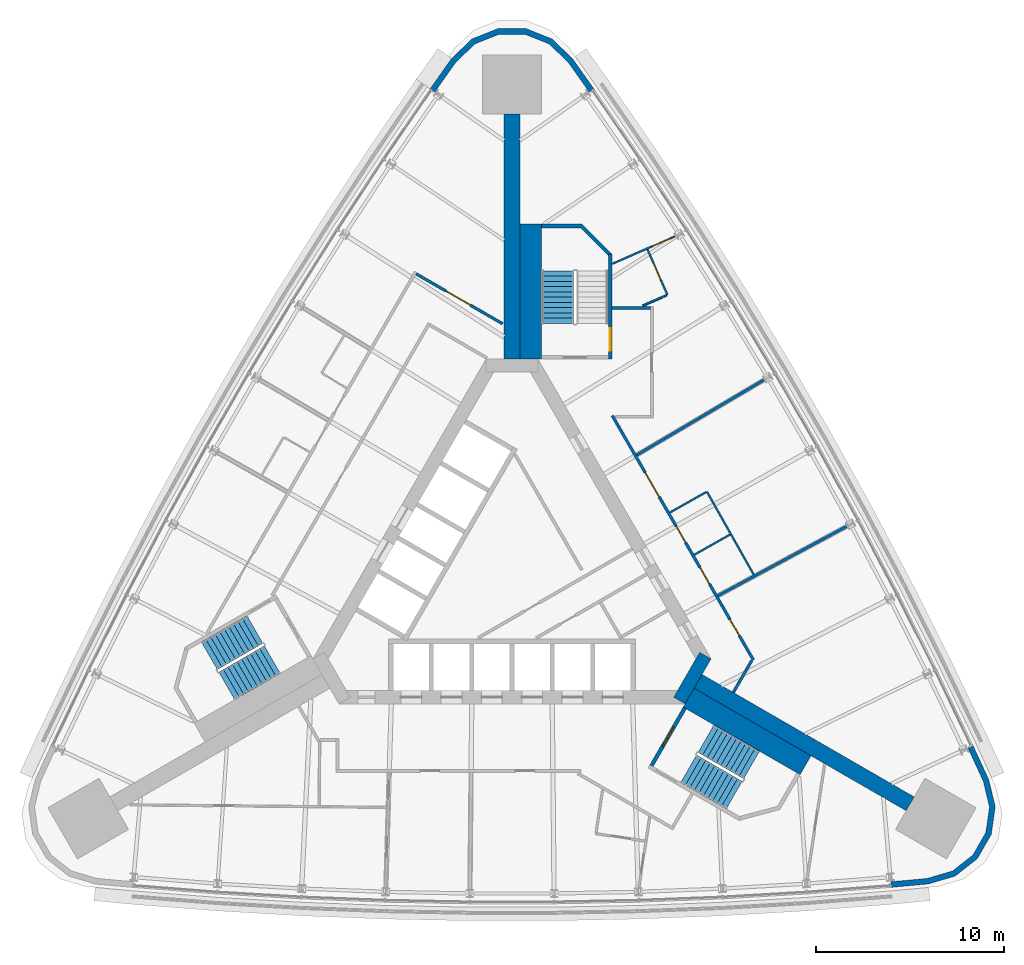
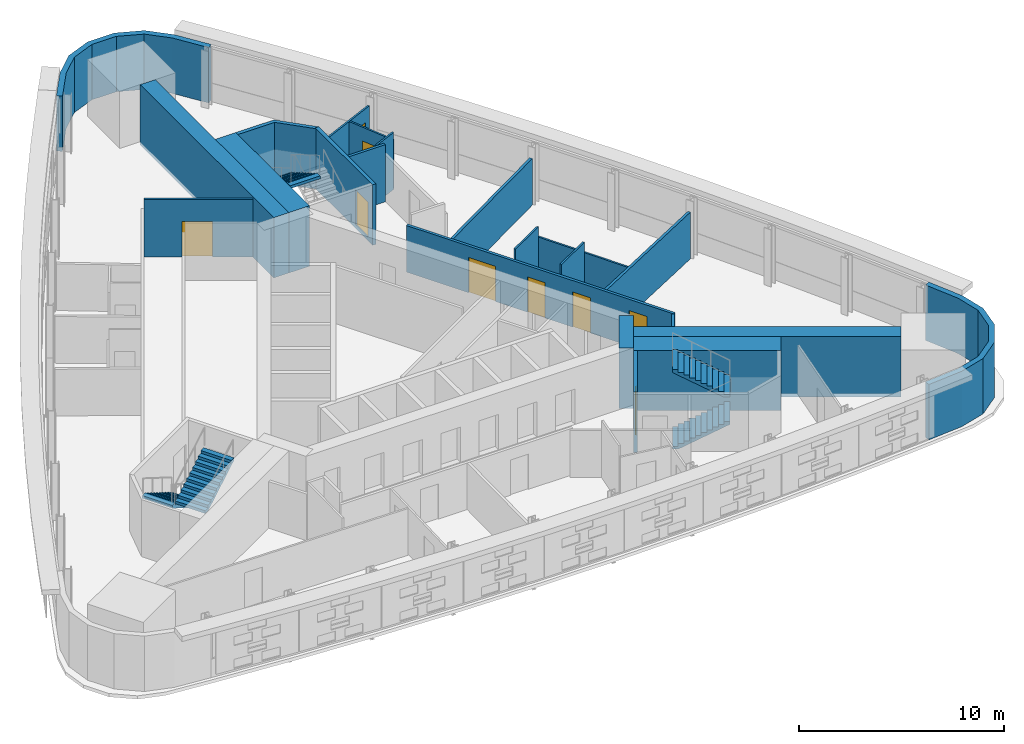
# One storey, part 10 of 13: 22 walls, 9 doors, 5 stair flights, 9 openings, 3 elements without a shape of their own.
"""IFC4 building model written with IfcOpenShell, lengths in metres."""

import ifcopenshell
import ifcopenshell.guid

model = None  # the IFC model being written
_history = None  # IfcOwnerHistory: only IFC2X3 demands one
_inside = {}  # id of a spatial element -> (the spatial element, [elements in it])
_under = {}  # id of a project, library or spatial element -> (it, [spatial elements below it])
_declared = {}  # id of a project -> (the project, [libraries it declares])
_typed = {}  # id of a type object -> (the type object, [elements of that type])
_made_of = {}  # id of a material, layer set ... -> (it, [elements and type objects made of it])


def new_model(schema):
    """Start an empty IFC model of exactly this schema.

    Asked for "IFC4X3", IfcOpenShell would pick the latest addendum, in which some entities
    have other attributes; the version numbers below select the first issue.
    IFC2X3 requires an IfcOwnerHistory on every rooted entity: one is made here for all.
    """
    global model, _history
    if schema == "IFC4X3":
        model = ifcopenshell.file(schema_version=(4, 3, 0, 0))
    else:
        model = ifcopenshell.file(schema=schema)
    _inside.clear()
    _under.clear()
    _declared.clear()
    _typed.clear()
    _made_of.clear()
    _history = None
    if model.schema == "IFC2X3":
        org = make("IfcOrganization", Name="unknown")
        user = make(
            "IfcPersonAndOrganization",
            ThePerson=make("IfcPerson", FamilyName="unknown"),
            TheOrganization=org,
        )
        app = make(
            "IfcApplication",
            ApplicationDeveloper=org,
            Version="unknown",
            ApplicationFullName="unknown",
            ApplicationIdentifier="unknown",
        )
        _history = make(
            "IfcOwnerHistory",
            OwningUser=user,
            OwningApplication=app,
            ChangeAction="ADDED",
            CreationDate=0,
        )
    return model


def make(cls, **values):
    """One entity of the class cls with the attributes given. An attribute that is None is left unset."""
    return model.create_entity(
        cls, **{name: value for name, value in values.items() if value is not None}
    )


def rooted(cls, **values):
    """An entity with a GlobalId (a new one), such as an element, a storey or a relation."""
    return make(cls, GlobalId=ifcopenshell.guid.new(), OwnerHistory=_history, **values)


def si_unit(unit_type, name, prefix=None):
    """IfcSIUnit, for example si_unit("LENGTHUNIT", "METRE", prefix="MILLI")."""
    return make("IfcSIUnit", UnitType=unit_type, Prefix=prefix, Name=name)


def assignment(units):
    """IfcUnitAssignment: the units of a project."""
    return None if units is None else make("IfcUnitAssignment", Units=units)


def point(xyz):
    """IfcCartesianPoint."""
    return None if xyz is None else make("IfcCartesianPoint", Coordinates=xyz)


def direction(xyz):
    """IfcDirection."""
    return None if xyz is None else make("IfcDirection", DirectionRatios=xyz)


def frame(location, z_axis=None, x_axis=None):
    """IfcAxis2Placement3D, a coordinate frame: its origin and axes. An axis left out is left unset."""
    return make(
        "IfcAxis2Placement3D",
        Location=point(location),
        Axis=direction(z_axis),
        RefDirection=direction(x_axis),
    )


def frame_2d(location, x_axis=None):
    """IfcAxis2Placement2D, a coordinate frame in the plane: its origin and x axis."""
    return make(
        "IfcAxis2Placement2D", Location=point(location), RefDirection=direction(x_axis)
    )


def origin():
    """The frame at (0, 0, 0) with its axes left unset."""
    return frame((0.0, 0.0, 0.0))


def place(relative_to, where):
    """IfcLocalPlacement: puts the frame where relative to a parent placement (None: the world)."""
    return make(
        "IfcLocalPlacement", PlacementRelTo=relative_to, RelativePlacement=where
    )


def context(
    kind, dimensions, precision=None, world=None, true_north=None, identifier=None
):
    """IfcGeometricRepresentationContext, for example the 3D "Model" context."""
    return make(
        "IfcGeometricRepresentationContext",
        ContextIdentifier=identifier,
        ContextType=kind,
        CoordinateSpaceDimension=dimensions,
        Precision=precision,
        WorldCoordinateSystem=world,
        TrueNorth=true_north,
    )


def subcontext(parent, identifier, kind, view, scale=None):
    """IfcGeometricRepresentationSubContext, for example "Body" below "Model"."""
    return make(
        "IfcGeometricRepresentationSubContext",
        ContextIdentifier=identifier,
        ContextType=kind,
        ParentContext=parent,
        TargetScale=scale,
        TargetView=view,
    )


def project(units=None, contexts=None):
    """IfcProject with its units and contexts."""
    return rooted(
        "IfcProject",
        Name="project",
        RepresentationContexts=contexts,
        UnitsInContext=assignment(units),
    )


def spatial(cls, under=None, at=None, **own):
    """A site, building, storey or space (cls), placed at a placement, below another one or the project."""
    s = rooted(cls, ObjectPlacement=at, **own)
    if under is not None:
        _under.setdefault(under.id(), (under, []))[1].append(s)
    return s


def polyline(points):
    """IfcPolyline through the points."""
    return make("IfcPolyline", Points=[point(p) for p in points])


def profile(cls, at=None, kind="AREA", **sizes):
    """A parametric profile (cls). Its sizes go by their IFC names, for example OverallWidth=200.0."""
    return make(cls, ProfileType=kind, Position=at, **sizes)


def rectangle(**sizes):
    """IfcRectangleProfileDef."""
    return profile("IfcRectangleProfileDef", **sizes)


def outline(outer, holes=None, kind="AREA"):
    """IfcArbitraryClosedProfileDef: a profile drawn as a closed curve; with holes, ...WithVoids."""
    if holes is None:
        return make("IfcArbitraryClosedProfileDef", ProfileType=kind, OuterCurve=outer)
    return make(
        "IfcArbitraryProfileDefWithVoids",
        ProfileType=kind,
        OuterCurve=outer,
        InnerCurves=holes,
    )


def extrude(swept, where, along, depth):
    """IfcExtrudedAreaSolid: the profile swept, set in the frame where, extruded along a direction by depth."""
    return make(
        "IfcExtrudedAreaSolid",
        SweptArea=swept,
        Position=where,
        ExtrudedDirection=direction(along),
        Depth=depth,
    )


def shape(context_of_items, identifier, shape_type, items):
    """IfcShapeRepresentation: the items that make up one representation, for example the "Body"."""
    return make(
        "IfcShapeRepresentation",
        ContextOfItems=context_of_items,
        RepresentationIdentifier=identifier,
        RepresentationType=shape_type,
        Items=items,
    )


def material(Name=None, Category=None):
    """IfcMaterial."""
    return make("IfcMaterial", Name=Name, Category=Category)


def layer(
    of_material, thickness, ventilated=None, Name=None, Category=None, Priority=None
):
    """IfcMaterialLayer: one layer of a wall or slab, of a material (None: an air gap)."""
    return make(
        "IfcMaterialLayer",
        Material=of_material,
        LayerThickness=thickness,
        IsVentilated=ventilated,
        Name=Name,
        Category=Category,
        Priority=Priority,
    )


def layer_set(layers, Name=None):
    """IfcMaterialLayerSet."""
    return make("IfcMaterialLayerSet", MaterialLayers=layers, LayerSetName=Name)


def made_of(thing, what):
    """Note that an element or type object is made of a material, layer set ...; save() writes the relation."""
    if what is not None:
        _made_of.setdefault(what.id(), (what, []))[1].append(thing)
    return thing


def type_object(cls, material=None, **own):
    """A type object (cls), such as IfcWallType, which elements share."""
    return made_of(rooted(cls, **own), material)


def element(
    cls,
    number,
    at=None,
    inside=None,
    cuts=None,
    type_object=None,
    material=None,
    context=None,
    identifier="Body",
    shape_type=None,
    held_by="IfcProductDefinitionShape",
    body=None,
    shapes=None,
    **own,
):
    """One element of the class cls, such as IfcWall. Its Tag is "e" and its number.

    at: its placement. inside: the storey or other place that contains it. cuts: it is an
    opening in that element (IfcRelVoidsElement). A single representation is given by context,
    identifier, shape_type and body (its items); several are given by shapes. held_by: the class
    of the entity that holds the representations. save() writes the other relations.
    """
    e = rooted(cls, Tag="e%d" % number, ObjectPlacement=at, **own)
    if body is not None:
        shapes = [shape(context, identifier, shape_type, body)]
    if shapes is not None:
        e.Representation = make(held_by, Representations=shapes)
    if inside is not None:
        _inside.setdefault(inside.id(), (inside, []))[1].append(e)
    if cuts is not None:
        rooted(
            "IfcRelVoidsElement", RelatingBuildingElement=cuts, RelatedOpeningElement=e
        )
    if type_object is not None:
        _typed.setdefault(type_object.id(), (type_object, []))[1].append(e)
    return made_of(e, material)


def fill(opening, filler):
    """IfcRelFillsElement: the door or window that sits in an opening."""
    return rooted(
        "IfcRelFillsElement",
        RelatingOpeningElement=opening,
        RelatedBuildingElement=filler,
    )


def aggregate(whole, parts):
    """IfcRelAggregates: a whole, such as a stair, and the parts it consists of."""
    return rooted("IfcRelAggregates", RelatingObject=whole, RelatedObjects=parts)


def save(model, path):
    """Write the relations noted so far, then the file.

    IfcRelAggregates (storeys below a building ...), IfcRelContainedInSpatialStructure (elements
    in a storey), IfcRelDefinesByType, IfcRelAssociatesMaterial and IfcRelDeclares: one each for
    every whole, place, type object, material and project.
    """
    for whole, parts in _under.values():
        aggregate(whole, parts)
    for where, things in _inside.values():
        rooted(
            "IfcRelContainedInSpatialStructure",
            RelatedElements=things,
            RelatingStructure=where,
        )
    for kind, things in _typed.values():
        rooted("IfcRelDefinesByType", RelatedObjects=things, RelatingType=kind)
    for what, things in _made_of.values():
        rooted("IfcRelAssociatesMaterial", RelatedObjects=things, RelatingMaterial=what)
    for by, libraries in _declared.values():
        rooted("IfcRelDeclares", RelatingContext=by, RelatedDefinitions=libraries)
    model.write(path)


model = new_model("IFC4")

# Units and contexts
model_context = context("Model", 3, precision=1e-05, world=origin(), true_north=direction((0.0, 1.0)))
body_context = subcontext(model_context, "Body", "Model", "MODEL_VIEW")
ifc_project = project(units=[si_unit("LENGTHUNIT", "METRE"), si_unit("AREAUNIT", "SQUARE_METRE"), si_unit("VOLUMEUNIT", "CUBIC_METRE"), si_unit("PLANEANGLEUNIT", "RADIAN"), si_unit("MASSUNIT", "GRAM", prefix="KILO")], contexts=[model_context])

# Site, building, storey
site_placement = place(None, origin())
site = spatial("IfcSite", under=ifc_project, at=site_placement, CompositionType="ELEMENT")
building_placement = place(site_placement, origin())
building = spatial("IfcBuilding", under=site, at=building_placement, Name="Noor Cloister Tower", CompositionType="ELEMENT")
storey_placement = place(building_placement, frame((0.0, 0.0, 79.800048828125)))
storey = spatial("IfcBuildingStorey", under=building, at=storey_placement, Name="L20", CompositionType="ELEMENT", Elevation=79.800048828125)

# Walls
ifc_material_1 = material(Name="Concrete C80/95", Category="concrete")
ifc_layer_1 = layer(ifc_material_1, 0.85009765625)
ifc_layer_set_1 = layer_set([ifc_layer_1], Name="Buttress wall 850 C80/95")
wall_type_1 = type_object("IfcWallType", Name="Buttress wall 850 C80/95", PredefinedType="SHEAR", material=ifc_layer_set_1)
wall_1_placement = place(storey_placement, frame((0.0, 11.456298828125, -0.199951171875), z_axis=(0.0, 0.0, 1.0), x_axis=(0.0, 1.0, 0.0)))
element("IfcWall", 1, at=wall_1_placement, inside=storey, type_object=wall_type_1, Name="Buttress wall N L20", PredefinedType="SHEAR", context=body_context, shape_type="SweptSolid", body=[
    extrude(rectangle(XDim=13.064697265625, YDim=0.85009765625, at=frame_2d((6.5322265625, 0.0))), origin(), (0.0, 0.0, 1.0), 3.599853515625),
])
wall_2_placement = place(storey_placement, frame((9.921630859375, -5.728271484375, -0.199951171875), z_axis=(0.0, 0.0, 1.0), x_axis=(0.866026565165, -0.499997988424, 0.0)))
element("IfcWall", 2, at=wall_2_placement, inside=storey, type_object=wall_type_1, Name="Buttress wall SE L20", PredefinedType="SHEAR", context=body_context, shape_type="SweptSolid", body=[
    extrude(rectangle(XDim=13.064453125, YDim=0.85009765625, at=frame_2d((6.5322265625, 0.0))), origin(), (0.0, 0.0, 1.0), 3.599853515625),
])
ifc_material_2 = material(Name="Concrete C80/95", Category="concrete")
ifc_layer_2 = layer(ifc_material_2, 0.699951171875)
ifc_layer_set_2 = layer_set([ifc_layer_2], Name="Core wall 700 C80/95")
wall_type_2 = type_object("IfcWallType", Name="Core wall 700 C80/95", PredefinedType="SHEAR", material=ifc_layer_set_2)
wall_3_placement = place(storey_placement, frame((8.925537109375, -6.753173828125, -0.199951171875), z_axis=(0.0, 0.0, 1.0), x_axis=(0.500042739161, 0.866000726912, 0.0)))
element("IfcWall", 3, at=wall_3_placement, inside=storey, type_object=wall_type_2, Name="Core wall L20 2", PredefinedType="SHEAR", context=body_context, shape_type="SweptSolid", body=[
    extrude(rectangle(XDim=2.771240234375, YDim=0.699951171875, at=frame_2d((1.3857421875, 0.0))), origin(), (0.0, 0.0, 1.0), 3.599853515625),
])

# Wall, openings, doors
ifc_material_3 = material(Name="Gypsum board partition on steel studs, 150 mm", Category="steel")
ifc_layer_3 = layer(ifc_material_3, 0.14990234375)
ifc_layer_set_3 = layer_set([ifc_layer_3], Name="Flat wall 150")
wall_type_3 = type_object("IfcWallType", Name="Flat wall 150", PredefinedType="PARTITIONING", material=ifc_layer_set_3)
wall_4_placement = place(storey_placement, frame((5.34619140625, 8.4462890625, 0.0), z_axis=(0.0, 0.0, 1.0), x_axis=(0.500008781656, -0.866020333634, 0.0)))
wall_4 = element("IfcWall", 4, at=wall_4_placement, inside=storey, type_object=wall_type_3, Name="Flat wall 150 L20 003", PredefinedType="PARTITIONING", context=body_context, shape_type="SweptSolid", body=[
    extrude(rectangle(XDim=15.056884765625, YDim=0.14990234375, at=frame_2d((7.5283203125, 0.0))), origin(), (0.0, 0.0, 1.0), 2.77783203125),
])
opening_1_placement = place(wall_4_placement, frame((12.551513671875, 0.0, 0.0)))
opening_1 = element("IfcOpeningElement", 5, at=opening_1_placement, cuts=wall_4, Name="Opening L20-005", PredefinedType="OPENING", context=body_context, shape_type="SweptSolid", body=[
    extrude(rectangle(XDim=1.0, YDim=2.10009765625, at=frame_2d((0.5, 1.050048828125))), frame((0.0, 0.0849609375, 0.0), z_axis=(0.0, -1.0, 0.0), x_axis=(1.0, 0.0, 0.0)), (0.0, 0.0, 1.0), 0.169921875),
])
opening_2_placement = place(wall_4_placement, frame((9.365478515625, 0.0, 0.0)))
opening_2 = element("IfcOpeningElement", 6, at=opening_2_placement, cuts=wall_4, Name="Opening L20-006", PredefinedType="OPENING", context=body_context, shape_type="SweptSolid", body=[
    extrude(rectangle(XDim=1.0, YDim=2.10009765625, at=frame_2d((0.5, 1.050048828125))), frame((0.0, 0.0849609375, 0.0), z_axis=(0.0, -1.0, 0.0), x_axis=(1.0, 0.0, 0.0)), (0.0, 0.0, 1.0), 0.169921875),
])
opening_3_placement = place(wall_4_placement, frame((6.81640625, 0.0, 0.0)))
opening_3 = element("IfcOpeningElement", 7, at=opening_3_placement, cuts=wall_4, Name="Opening L20-007", PredefinedType="OPENING", context=body_context, shape_type="SweptSolid", body=[
    extrude(rectangle(XDim=1.0, YDim=2.10009765625, at=frame_2d((0.5, 1.050048828125))), frame((0.0, 0.0849609375, 0.0), z_axis=(0.0, -1.0, 0.0), x_axis=(1.0, 0.0, 0.0)), (0.0, 0.0, 1.0), 0.169921875),
])
opening_4_placement = place(wall_4_placement, frame((3.5087890625, 0.0, 0.0)))
opening_4 = element("IfcOpeningElement", 8, at=opening_4_placement, cuts=wall_4, Name="Opening L20-008", PredefinedType="OPENING", context=body_context, shape_type="SweptSolid", body=[
    extrude(rectangle(XDim=1.5, YDim=2.10009765625, at=frame_2d((0.75, 1.050048828125))), frame((0.0, 0.0849609375, 0.0), z_axis=(0.0, -1.0, 0.0), x_axis=(1.0, 0.0, 0.0)), (0.0, 0.0, 1.0), 0.169921875),
])
ifc_material_4 = material(Name="Timber door leaf with steel frame", Category="steel")
door_type_1 = type_object("IfcDoorType", Name="Accessible WC door 1000", OperationType="NOTDEFINED", PredefinedType="DOOR", material=ifc_material_4)
door_1_placement = place(opening_2_placement, origin())
door_1 = element("IfcDoor", 9, at=door_1_placement, inside=storey, type_object=door_type_1, Name="Accessible WC door 1000 L20-006", OperationType="SINGLE_SWING_RIGHT", OverallHeight=2.10009765625, OverallWidth=1.0, PredefinedType="DOOR", context=body_context, shape_type="SweptSolid", body=[
    extrude(rectangle(XDim=1.0, YDim=2.10009765625, at=frame_2d((0.5, 1.050048828125))), frame((0.0, 0.02490234375, 0.0), z_axis=(0.0, -1.0, 0.0), x_axis=(1.0, 0.0, 0.0)), (0.0, 0.0, 1.0), 0.050048828125),
])
fill(opening_2, door_1)
ifc_material_5 = material(Name="Timber door leaf with steel frame", Category="steel")
door_type_2 = type_object("IfcDoorType", Name="Double door 1500 FD60", OperationType="NOTDEFINED", PredefinedType="DOOR", material=ifc_material_5)
door_2_placement = place(opening_4_placement, origin())
door_2 = element("IfcDoor", 10, at=door_2_placement, inside=storey, type_object=door_type_2, Name="Double door 1500 L20-008", OperationType="DOUBLE_DOOR_SINGLE_SWING", OverallHeight=2.10009765625, OverallWidth=1.5, PredefinedType="DOOR", context=body_context, shape_type="SweptSolid", body=[
    extrude(rectangle(XDim=1.5, YDim=2.10009765625, at=frame_2d((0.75, 1.050048828125))), frame((0.0, 0.02490234375, 0.0), z_axis=(0.0, -1.0, 0.0), x_axis=(1.0, 0.0, 0.0)), (0.0, 0.0, 1.0), 0.050048828125),
])
fill(opening_4, door_2)
ifc_material_6 = material(Name="Timber door leaf with steel frame", Category="steel")
door_type_3 = type_object("IfcDoorType", Name="Interior door 1000 FD60", OperationType="NOTDEFINED", PredefinedType="DOOR", material=ifc_material_6)
door_3_placement = place(opening_1_placement, origin())
door_3 = element("IfcDoor", 11, at=door_3_placement, inside=storey, type_object=door_type_3, Name="Interior door 1000 L20-005", OperationType="SINGLE_SWING_RIGHT", OverallHeight=2.10009765625, OverallWidth=1.0, PredefinedType="DOOR", context=body_context, shape_type="SweptSolid", body=[
    extrude(rectangle(XDim=1.0, YDim=2.10009765625, at=frame_2d((0.5, 1.050048828125))), frame((0.0, 0.02490234375, 0.0), z_axis=(0.0, -1.0, 0.0), x_axis=(1.0, 0.0, 0.0)), (0.0, 0.0, 1.0), 0.050048828125),
])
fill(opening_1, door_3)
door_4_placement = place(opening_3_placement, origin())
door_4 = element("IfcDoor", 12, at=door_4_placement, inside=storey, type_object=door_type_3, Name="Interior door 1000 L20-007", OperationType="SINGLE_SWING_LEFT", OverallHeight=2.10009765625, OverallWidth=1.0, PredefinedType="DOOR", context=body_context, shape_type="SweptSolid", body=[
    extrude(rectangle(XDim=1.0, YDim=2.10009765625, at=frame_2d((0.5, 1.050048828125))), frame((0.0, 0.02490234375, 0.0), z_axis=(0.0, -1.0, 0.0), x_axis=(1.0, 0.0, 0.0)), (0.0, 0.0, 1.0), 0.050048828125),
])
fill(opening_3, door_4)

# Wall, opening, door
wall_5_placement = place(storey_placement, frame((-5.111328125, 16.00341796875, 0.0), z_axis=(0.0, 0.0, 1.0), x_axis=(0.866034245675, -0.499984685083, 0.0)))
wall_5 = element("IfcWall", 13, at=wall_5_placement, inside=storey, type_object=wall_type_3, Name="Flat wall 150 L20 007", PredefinedType="PARTITIONING", context=body_context, shape_type="SweptSolid", body=[
    extrude(rectangle(XDim=5.319091796875, YDim=0.14990234375, at=frame_2d((2.65966796875, 0.0))), origin(), (0.0, 0.0, 1.0), 3.39990234375),
])
opening_5_placement = place(wall_5_placement, frame((1.83447265625, 0.0, 0.0)))
opening_5 = element("IfcOpeningElement", 14, at=opening_5_placement, cuts=wall_5, Name="Opening L20-012", PredefinedType="OPENING", context=body_context, shape_type="SweptSolid", body=[
    extrude(rectangle(XDim=1.5, YDim=2.10009765625, at=frame_2d((0.75, 1.050048828125))), frame((0.0, 0.0849609375, 0.0), z_axis=(0.0, -1.0, 0.0), x_axis=(1.0, 0.0, 0.0)), (0.0, 0.0, 1.0), 0.169921875),
])
door_5_placement = place(opening_5_placement, origin())
door_5 = element("IfcDoor", 15, at=door_5_placement, inside=storey, type_object=door_type_2, Name="Double door 1500 L20-012", OperationType="DOUBLE_DOOR_SINGLE_SWING", OverallHeight=2.10009765625, OverallWidth=1.5, PredefinedType="DOOR", context=body_context, shape_type="SweptSolid", body=[
    extrude(rectangle(XDim=1.5, YDim=2.10009765625, at=frame_2d((0.75, 1.050048828125))), frame((0.0, 0.02490234375, 0.0), z_axis=(0.0, -1.0, 0.0), x_axis=(1.0, 0.0, 0.0)), (0.0, 0.0, 1.0), 0.050048828125),
])
fill(opening_5, door_5)

# Walls
wall_6_placement = place(storey_placement, frame((5.335693359375, 14.181396484375, 0.0), z_axis=(0.0, 0.0, 1.0), x_axis=(1.0, 0.0, 0.0)))
element("IfcWall", 16, at=wall_6_placement, inside=storey, type_object=wall_type_3, Name="Flat wall 150 L20 009", PredefinedType="PARTITIONING", context=body_context, shape_type="SweptSolid", body=[
    extrude(rectangle(XDim=2.0498046875, YDim=0.14990234375, at=frame_2d((1.02490234375, 0.0))), origin(), (0.0, 0.0, 1.0), 3.39990234375),
])
wall_7_placement = place(storey_placement, frame((11.801025390625, -6.322509765625, 0.0), z_axis=(0.0, 0.0, 1.0), x_axis=(0.500058665202, 0.865991530765, 0.0)))
element("IfcWall", 17, at=wall_7_placement, inside=storey, type_object=wall_type_3, Name="Flat wall 150 L20 011", PredefinedType="PARTITIONING", context=body_context, shape_type="SweptSolid", body=[
    extrude(rectangle(XDim=1.969482421875, YDim=0.14990234375, at=frame_2d((0.98486328125, 0.0))), origin(), (0.0, 0.0, 1.0), 2.77783203125),
])
wall_8_placement = place(storey_placement, frame((13.421142578125, 10.337646484375, 0.0), z_axis=(0.0, 0.0, 1.0), x_axis=(-0.861114991514, -0.508410239266, 0.0)))
element("IfcWall", 18, at=wall_8_placement, inside=storey, type_object=wall_type_3, Name="Flat wall 150 L20 016", PredefinedType="PARTITIONING", context=body_context, shape_type="SweptSolid", body=[
    extrude(rectangle(XDim=7.86328125, YDim=0.14990234375, at=frame_2d((3.931640625, 0.0))), origin(), (0.0, 0.0, 1.0), 2.77783203125),
])
wall_9_placement = place(storey_placement, frame((17.829345703125, 2.527587890625, 0.0), z_axis=(0.0, 0.0, 1.0), x_axis=(-0.880268417521, -0.474476040612, 0.0)))
element("IfcWall", 19, at=wall_9_placement, inside=storey, type_object=wall_type_3, Name="Flat wall 150 L20 017", PredefinedType="PARTITIONING", context=body_context, shape_type="SweptSolid", body=[
    extrude(rectangle(XDim=7.77734375, YDim=0.14990234375, at=frame_2d((3.888671875, 0.0))), origin(), (0.0, 0.0, 1.0), 2.77783203125),
])
ifc_material_7 = material(Name="Limestone", Category="masonry")
ifc_layer_4 = layer(ifc_material_7, 0.300048828125)
ifc_layer_set_4 = layer_set([ifc_layer_4], Name="Limestone cladding 300")
wall_type_4 = type_object("IfcWallType", Name="Limestone cladding 300", PredefinedType="NOTDEFINED", material=ifc_layer_set_4)
wall_10_placement = place(storey_placement, origin())
element("IfcWall", 20, at=wall_10_placement, inside=storey, type_object=wall_type_4, Name="Limestone pier cladding L20 2.1", PredefinedType="NOTDEFINED", context=body_context, shape_type="SweptSolid", body=[
    extrude(outline(polyline([(20.22412109375, -16.7158203125), (22.203125, -16.533447265625), (23.636474609375, -16.111083984375), (24.810546875, -15.18701171875), (25.5576171875, -13.89306640625), (25.770751953125, -12.4140625), (25.419921875, -10.961669921875), (24.58837890625, -9.15673828125), (24.31591796875, -9.2822265625), (25.135009765625, -11.060791015625), (25.465576171875, -12.428466796875), (25.268798828125, -13.79296875), (24.57958984375, -14.987060546875), (23.49609375, -15.839599609375), (22.146484375, -16.2373046875), (20.196533203125, -16.417236328125), (20.22412109375, -16.7158203125)])), origin(), (0.0, 0.0, 1.0), 3.300048828125),
])
wall_11_placement = place(storey_placement, origin())
element("IfcWall", 21, at=wall_11_placement, inside=storey, type_object=wall_type_4, Name="Limestone pier cladding L20 3.1", PredefinedType="NOTDEFINED", context=body_context, shape_type="SweptSolid", body=[
    extrude(outline(polyline([(4.3642578125, 25.87255859375), (3.216796875, 27.4951171875), (2.134521484375, 28.525390625), (0.7470703125, 29.080078125), (-0.7470703125, 29.080078125), (-2.134521484375, 28.525390625), (-3.216796875, 27.4951171875), (-4.3642578125, 25.87255859375), (-4.119384765625, 25.69921875), (-2.98876953125, 27.2978515625), (-1.969482421875, 28.26806640625), (-0.689453125, 28.780029296875), (0.689453125, 28.780029296875), (1.969482421875, 28.26806640625), (2.98876953125, 27.2978515625), (4.119384765625, 25.69921875), (4.3642578125, 25.87255859375)])), origin(), (0.0, 0.0, 1.0), 3.300048828125),
])
ifc_material_8 = material(Name="Gypsum board partition on steel studs, 100 mm", Category="steel")
ifc_layer_5 = layer(ifc_material_8, 0.10009765625)
ifc_layer_set_5 = layer_set([ifc_layer_5], Name="Partition 100")
wall_type_5 = type_object("IfcWallType", Name="Partition 100", PredefinedType="PARTITIONING", material=ifc_layer_set_5)
wall_12_placement = place(storey_placement, frame((12.895263671875, -0.045654296875, 0.0), z_axis=(0.0, 0.0, 1.0), x_axis=(-0.491519870282, 0.870866360079, 0.0)))
element("IfcWall", 22, at=wall_12_placement, inside=storey, type_object=wall_type_5, Name="Partition 100 L20 025", PredefinedType="PARTITIONING", context=body_context, shape_type="SweptSolid", body=[
    extrude(rectangle(XDim=5.0908203125, YDim=0.10009765625, at=frame_2d((2.54541015625, 0.0))), origin(), (0.0, 0.0, 1.0), 2.77783203125),
])

# Wall, opening, door
wall_13_placement = place(storey_placement, frame((5.355712890625, 16.540283203125, 0.0), z_axis=(0.0, 0.0, 1.0), x_axis=(0.915687364234, 0.401891342258, 0.0)))
wall_13 = element("IfcWall", 23, at=wall_13_placement, inside=storey, type_object=wall_type_5, Name="Partition 100 L20 027", PredefinedType="PARTITIONING", context=body_context, shape_type="SweptSolid", body=[
    extrude(rectangle(XDim=3.64111328125, YDim=0.10009765625, at=frame_2d((1.820556640625, 0.0))), origin(), (0.0, 0.0, 1.0), 2.9228515625),
])
opening_6_placement = place(wall_13_placement, frame((2.323974609375, 0.0, 0.0)))
opening_6 = element("IfcOpeningElement", 24, at=opening_6_placement, cuts=wall_13, Name="Opening L20-018", PredefinedType="OPENING", context=body_context, shape_type="SweptSolid", body=[
    extrude(rectangle(XDim=1.0, YDim=2.10009765625, at=frame_2d((0.5, 1.050048828125))), frame((0.0, 0.06005859375, 0.0), z_axis=(0.0, -1.0, 0.0), x_axis=(1.0, 0.0, 0.0)), (0.0, 0.0, 1.0), 0.1201171875),
])
ifc_material_9 = material(Name="Timber door leaf with steel frame", Category="steel")
door_type_4 = type_object("IfcDoorType", Name="Interior door 1000", OperationType="NOTDEFINED", PredefinedType="DOOR", material=ifc_material_9)
door_6_placement = place(opening_6_placement, origin())
door_6 = element("IfcDoor", 25, at=door_6_placement, inside=storey, type_object=door_type_4, Name="Interior door 1000 L20-018", OperationType="SINGLE_SWING_RIGHT", OverallHeight=2.10009765625, OverallWidth=1.0, PredefinedType="DOOR", context=body_context, shape_type="SweptSolid", body=[
    extrude(rectangle(XDim=1.0, YDim=2.10009765625, at=frame_2d((0.5, 1.050048828125))), frame((0.0, 0.02490234375, 0.0), z_axis=(0.0, -1.0, 0.0), x_axis=(1.0, 0.0, 0.0)), (0.0, 0.0, 1.0), 0.050048828125),
])
fill(opening_6, door_6)

wall_14_placement = place(storey_placement, frame((8.289794921875, 14.87939453125, 0.0), z_axis=(0.0, 0.0, 1.0), x_axis=(-0.401954267375, 0.915659744085, 0.0)))
wall_14 = element("IfcWall", 26, at=wall_14_placement, inside=storey, type_object=wall_type_5, Name="Partition 100 L20 030", PredefinedType="PARTITIONING", context=body_context, shape_type="SweptSolid", body=[
    extrude(rectangle(XDim=2.64990234375, YDim=0.10009765625, at=frame_2d((1.324951171875, 0.0))), origin(), (0.0, 0.0, 1.0), 2.9228515625),
])
opening_7_placement = place(wall_14_placement, frame((0.85009765625, 0.0, 0.0)))
opening_7 = element("IfcOpeningElement", 27, at=opening_7_placement, cuts=wall_14, Name="Opening L20-020", PredefinedType="OPENING", context=body_context, shape_type="SweptSolid", body=[
    extrude(rectangle(XDim=1.0, YDim=2.10009765625, at=frame_2d((0.5, 1.050048828125))), frame((0.0, 0.06005859375, 0.0), z_axis=(0.0, -1.0, 0.0), x_axis=(1.0, 0.0, 0.0)), (0.0, 0.0, 1.0), 0.1201171875),
])
door_7_placement = place(opening_7_placement, origin())
door_7 = element("IfcDoor", 28, at=door_7_placement, inside=storey, type_object=door_type_4, Name="Interior door 1000 L20-020", OperationType="SINGLE_SWING_RIGHT", OverallHeight=2.10009765625, OverallWidth=1.0, PredefinedType="DOOR", context=body_context, shape_type="SweptSolid", body=[
    extrude(rectangle(XDim=1.0, YDim=2.10009765625, at=frame_2d((0.5, 1.050048828125))), frame((0.0, 0.02490234375, 0.0), z_axis=(0.0, -1.0, 0.0), x_axis=(1.0, 0.0, 0.0)), (0.0, 0.0, 1.0), 0.050048828125),
])
fill(opening_7, door_7)

# Walls
wall_15_placement = place(storey_placement, frame((10.349365234375, 4.363037109375, 0.0), z_axis=(0.0, 0.0, 1.0), x_axis=(-0.870794636378, -0.491646927435, 0.0)))
element("IfcWall", 29, at=wall_15_placement, inside=storey, type_object=wall_type_5, Name="Partition 100 L20 034", PredefinedType="PARTITIONING", context=body_context, shape_type="SweptSolid", body=[
    extrude(rectangle(XDim=2.2158203125, YDim=0.10009765625, at=frame_2d((1.10791015625, 0.0))), origin(), (0.0, 0.0, 1.0), 3.39990234375),
])
wall_16_placement = place(storey_placement, frame((11.62744140625, 2.098876953125, 0.0), z_axis=(0.0, 0.0, 1.0), x_axis=(-0.870851244214, -0.491546651348, 0.0)))
element("IfcWall", 30, at=wall_16_placement, inside=storey, type_object=wall_type_5, Name="Partition 100 L20 035", PredefinedType="PARTITIONING", context=body_context, shape_type="SweptSolid", body=[
    extrude(rectangle(XDim=2.1904296875, YDim=0.10009765625, at=frame_2d((1.09521484375, 0.0))), origin(), (0.0, 0.0, 1.0), 3.39990234375),
])
wall_17_placement = place(storey_placement, frame((6.974609375, 14.30224609375, 0.0), z_axis=(0.0, 0.0, 1.0), x_axis=(0.915740462341, 0.401770339412, 0.0)))
element("IfcWall", 31, at=wall_17_placement, inside=storey, type_object=wall_type_5, Name="Partition 100 L20 038", PredefinedType="PARTITIONING", context=body_context, shape_type="SweptSolid", body=[
    extrude(rectangle(XDim=1.385986328125, YDim=0.10009765625, at=frame_2d((0.69287109375, 0.0))), origin(), (0.0, 0.0, 1.0), 3.39990234375),
])
ifc_material_10 = material(Name="Concrete C80/95", Category="concrete")
ifc_layer_6 = layer(ifc_material_10, 1.160888671875)
ifc_layer_set_6 = layer_set([ifc_layer_6], Name="Stair enclosure wall 1161 C80/95")
wall_type_6 = type_object("IfcWallType", Name="Stair enclosure wall 1161 C80/95", PredefinedType="SHEAR", material=ifc_layer_set_6)
wall_18_placement = place(storey_placement, frame((1.00537109375, 11.456298828125, -0.199951171875), z_axis=(0.0, 0.0, 1.0), x_axis=(0.0, 1.0, 0.0)))
element("IfcWall", 32, at=wall_18_placement, inside=storey, type_object=wall_type_6, Name="Stair enclosure wall ST1 L20 riser side", PredefinedType="SHEAR", context=body_context, shape_type="SweptSolid", body=[
    extrude(rectangle(XDim=7.2001953125, YDim=1.16064453125, at=frame_2d((3.60009765625, 0.0))), origin(), (0.0, 0.0, 1.0), 3.599853515625),
])
wall_19_placement = place(storey_placement, frame((9.4189453125, -6.598876953125, -0.199951171875), z_axis=(0.0, 0.0, 1.0), x_axis=(0.866033125095, -0.499986626058, 0.0)))
element("IfcWall", 33, at=wall_19_placement, inside=storey, type_object=wall_type_6, Name="Stair enclosure wall ST3 L20 riser side", PredefinedType="SHEAR", context=body_context, shape_type="SweptSolid", body=[
    extrude(rectangle(XDim=7.199951171875, YDim=1.16064453125, at=frame_2d((3.60009765625, 0.0))), origin(), (0.0, 0.0, 1.0), 3.599853515625),
])

# Wall, opening, door
ifc_material_11 = material(Name="Concrete C80/95", Category="concrete")
ifc_layer_7 = layer(ifc_material_11, 0.199951171875)
ifc_layer_set_7 = layer_set([ifc_layer_7], Name="Stair enclosure wall 200 C80/95")
wall_type_7 = type_object("IfcWallType", Name="Stair enclosure wall 200 C80/95", PredefinedType="SHEAR", material=ifc_layer_set_7)
wall_20_placement = place(storey_placement, frame((5.235595703125, 11.456298828125, -0.199951171875), z_axis=(0.0, 0.0, 1.0), x_axis=(0.0, 1.0, 0.0)))
wall_20 = element("IfcWall", 34, at=wall_20_placement, inside=storey, type_object=wall_type_7, Name="Stair enclosure wall ST1 L20 outer side", PredefinedType="SHEAR", context=body_context, shape_type="SweptSolid", body=[
    extrude(rectangle(XDim=5.60009765625, YDim=0.199951171875, at=frame_2d((2.800048828125, 0.0))), origin(), (0.0, 0.0, 1.0), 3.599853515625),
])
opening_8_placement = place(wall_20_placement, frame((0.449951171875, 0.0, 0.199951171875)))
opening_8 = element("IfcOpeningElement", 35, at=opening_8_placement, cuts=wall_20, Name="Opening L20-ST1C", PredefinedType="OPENING", context=body_context, shape_type="SweptSolid", body=[
    extrude(rectangle(XDim=1.199951171875, YDim=2.10009765625, at=frame_2d((0.60009765625, 1.050048828125))), frame((0.0, 0.10986328125, 0.0), z_axis=(0.0, -1.0, 0.0), x_axis=(1.0, 0.0, 0.0)), (0.0, 0.0, 1.0), 0.219970703125),
])
ifc_material_12 = material(Name="Steel", Category="steel")
door_type_5 = type_object("IfcDoorType", Name="Stair door 1200 x 2100 FD120", OperationType="SINGLE_SWING_LEFT", PredefinedType="DOOR", material=ifc_material_12)
door_8_placement = place(opening_8_placement, origin())
door_8 = element("IfcDoor", 36, at=door_8_placement, inside=storey, type_object=door_type_5, Name="Stair door ST1 L20", OperationType="SINGLE_SWING_LEFT", OverallHeight=2.10009765625, OverallWidth=1.199951171875, PredefinedType="DOOR", context=body_context, shape_type="SweptSolid", body=[
    extrude(rectangle(XDim=1.199951171875, YDim=2.10009765625, at=frame_2d((0.60009765625, 1.050048828125))), frame((0.0, 0.02490234375, 0.0), z_axis=(0.0, -1.0, 0.0), x_axis=(1.0, 0.0, 0.0)), (0.0, 0.0, 1.0), 0.050048828125),
])
fill(opening_8, door_8)

wall_21_placement = place(storey_placement, frame((7.440185546875, -10.225830078125, -0.199951171875), z_axis=(0.0, 0.0, 1.0), x_axis=(0.500022077904, 0.866012656725, 0.0)))
wall_21 = element("IfcWall", 37, at=wall_21_placement, inside=storey, type_object=wall_type_7, Name="Stair enclosure wall ST3 L20 near end", PredefinedType="SHEAR", context=body_context, shape_type="SweptSolid", body=[
    extrude(rectangle(XDim=3.550048828125, YDim=0.199951171875, at=frame_2d((1.77490234375, 0.0))), origin(), (0.0, 0.0, 1.0), 3.599853515625),
])
opening_9_placement = place(wall_21_placement, frame((1.175048828125, 0.0, 0.199951171875)))
opening_9 = element("IfcOpeningElement", 38, at=opening_9_placement, cuts=wall_21, Name="Opening L20-ST3L", PredefinedType="OPENING", context=body_context, shape_type="SweptSolid", body=[
    extrude(rectangle(XDim=1.199951171875, YDim=2.10009765625, at=frame_2d((0.60009765625, 1.050048828125))), frame((0.0, 0.10986328125, 0.0), z_axis=(0.0, -1.0, 0.0), x_axis=(1.0, 0.0, 0.0)), (0.0, 0.0, 1.0), 0.219970703125),
])
door_9_placement = place(opening_9_placement, origin())
door_9 = element("IfcDoor", 39, at=door_9_placement, inside=storey, type_object=door_type_5, Name="Stair door ST3 L20", OperationType="SINGLE_SWING_RIGHT", OverallHeight=2.10009765625, OverallWidth=1.199951171875, PredefinedType="DOOR", context=body_context, shape_type="SweptSolid", body=[
    extrude(rectangle(XDim=1.199951171875, YDim=2.10009765625, at=frame_2d((0.60009765625, 1.050048828125))), frame((0.0, 0.02490234375, 0.0), z_axis=(0.0, -1.0, 0.0), x_axis=(1.0, 0.0, 0.0)), (0.0, 0.0, 1.0), 0.050048828125),
])
fill(opening_9, door_9)

# Wall
ifc_material_13 = material(Name="Concrete C80/95", Category="concrete")
wall_type_8 = type_object("IfcWallType", Name="Stair far end wall C80/95", PredefinedType="SHEAR", material=ifc_material_13)
wall_22_placement = place(storey_placement, frame((0.0, 0.0, -0.199951171875)))
element("IfcWall", 40, at=wall_22_placement, inside=storey, type_object=wall_type_8, Name="Stair enclosure wall ST1 L20 far end", PredefinedType="SHEAR", context=body_context, shape_type="SweptSolid", body=[
    extrude(outline(polyline([(5.335693359375, 17.056396484375), (3.735595703125, 18.656494140625), (1.585693359375, 18.656494140625), (1.585693359375, 18.456298828125), (3.65283203125, 18.456298828125), (5.135498046875, 16.9736328125), (5.135498046875, 17.056396484375), (5.135498046875, 17.056396484375), (5.135498046875, 17.056396484375), (5.135498046875, 17.056396484375), (5.135498046875, 17.056396484375), (5.135498046875, 17.056396484375), (5.135498046875, 17.056396484375), (5.135498046875, 17.056396484375), (5.135498046875, 17.056396484375), (5.135498046875, 17.056396484375), (5.135498046875, 17.056396484375), (5.135498046875, 17.056396484375), (5.135498046875, 17.056396484375), (5.135498046875, 17.056396484375), (5.135498046875, 17.056396484375), (5.135498046875, 17.056396484375), (5.135498046875, 17.056396484375), (5.335693359375, 17.056396484375)])), origin(), (0.0, 0.0, 1.0), 3.599853515625),
])

# Stair, stair flight
ifc_material_14 = material(Name="Concrete C40/50", Category="concrete")
stair_type = type_object("IfcStairType", Name="Exit stair 22 risers", PredefinedType="HALF_TURN_STAIR", material=ifc_material_14)
stair_1_placement = place(storey_placement, origin())
stair_1 = element("IfcStair", 41, at=stair_1_placement, inside=storey, type_object=stair_type, Name="Exit stair ST1 L20", PredefinedType="HALF_TURN_STAIR")
ifc_material_15 = material(Name="Concrete C40/50", Category="concrete")
stair_flight_type = type_object("IfcStairFlightType", Name="Exit stair flight", PredefinedType="STRAIGHT", material=ifc_material_15)
stair_flight_1_placement = place(storey_placement, frame((2.435546875, 16.156494140625, 1.800048828125), z_axis=(0.0, 0.0, 1.0), x_axis=(0.0, -1.0, 0.0)))
stair_flight_1 = element("IfcStairFlight", 42, at=stair_flight_1_placement, type_object=stair_flight_type, Name="ST1 flight 2", NumberOfRisers=11, NumberOfTreads=10, PredefinedType="STRAIGHT", RiserHeight=0.163636364, TreadLength=0.28, context=body_context, shape_type="SweptSolid", body=[
    extrude(outline(polyline([(0.0, 0.0), (0.0, 0.16357421875), (0.280029296875, 0.16357421875), (0.280029296875, 0.327392578125), (0.56005859375, 0.327392578125), (0.56005859375, 0.490966796875), (0.840087890625, 0.490966796875), (0.840087890625, 0.654541015625), (1.1201171875, 0.654541015625), (1.1201171875, 0.818115234375), (1.39990234375, 0.818115234375), (1.39990234375, 0.98193359375), (1.679931640625, 0.98193359375), (1.679931640625, 1.1455078125), (1.9599609375, 1.1455078125), (1.9599609375, 1.30908203125), (2.239990234375, 1.30908203125), (2.239990234375, 1.47265625), (2.52001953125, 1.47265625), (2.52001953125, 1.636474609375), (2.800048828125, 1.636474609375), (2.800048828125, 1.800048828125), (2.800048828125, 1.462646484375), (0.297119140625, 0.0), (0.0, 0.0)])), frame((0.0, 0.85009765625, 0.0), z_axis=(0.0, -1.0, 0.0), x_axis=(1.0, 0.0, 0.0)), (0.0, 0.0, 1.0), 1.699951171875),
])
aggregate(stair_1, [stair_flight_1])

# Stair, stair flights
stair_2_placement = place(storey_placement, origin())
stair_2 = element("IfcStair", 43, at=stair_2_placement, inside=storey, type_object=stair_type, Name="Exit stair ST2 L20", PredefinedType="HALF_TURN_STAIR")
stair_flight_2_placement = place(storey_placement, frame((-13.709716796875, -2.966796875, 0.0), z_axis=(0.0, 0.0, 1.0), x_axis=(-0.866025403784, -0.5, 0.0)))
stair_flight_2 = element("IfcStairFlight", 44, at=stair_flight_2_placement, type_object=stair_flight_type, Name="ST2 flight 1", NumberOfRisers=11, NumberOfTreads=10, PredefinedType="STRAIGHT", RiserHeight=0.163636364, TreadLength=0.28, context=body_context, shape_type="SweptSolid", body=[
    extrude(outline(polyline([(0.0, 0.0), (0.0, 0.16357421875), (0.280029296875, 0.16357421875), (0.280029296875, 0.327392578125), (0.56005859375, 0.327392578125), (0.56005859375, 0.490966796875), (0.840087890625, 0.490966796875), (0.840087890625, 0.654541015625), (1.1201171875, 0.654541015625), (1.1201171875, 0.818115234375), (1.39990234375, 0.818115234375), (1.39990234375, 0.98193359375), (1.679931640625, 0.98193359375), (1.679931640625, 1.1455078125), (1.9599609375, 1.1455078125), (1.9599609375, 1.30908203125), (2.239990234375, 1.30908203125), (2.239990234375, 1.47265625), (2.52001953125, 1.47265625), (2.52001953125, 1.636474609375), (2.800048828125, 1.636474609375), (2.800048828125, 1.800048828125), (2.800048828125, 1.462646484375), (0.297119140625, 0.0), (0.0, 0.0)])), frame((0.0, 0.85009765625, 0.0), z_axis=(0.0, -1.0, 0.0), x_axis=(1.0, 0.0, 0.0)), (0.0, 0.0, 1.0), 1.699951171875),
])
stair_flight_3_placement = place(storey_placement, frame((-15.209716796875, -5.968994140625, 1.800048828125), z_axis=(0.0, 0.0, 1.0), x_axis=(0.866025403784, 0.5, 0.0)))
stair_flight_3 = element("IfcStairFlight", 45, at=stair_flight_3_placement, type_object=stair_flight_type, Name="ST2 flight 2", NumberOfRisers=11, NumberOfTreads=10, PredefinedType="STRAIGHT", RiserHeight=0.163636364, TreadLength=0.28, context=body_context, shape_type="SweptSolid", body=[
    extrude(outline(polyline([(0.0, 0.0), (0.0, 0.16357421875), (0.280029296875, 0.16357421875), (0.280029296875, 0.327392578125), (0.56005859375, 0.327392578125), (0.56005859375, 0.490966796875), (0.840087890625, 0.490966796875), (0.840087890625, 0.654541015625), (1.1201171875, 0.654541015625), (1.1201171875, 0.818115234375), (1.39990234375, 0.818115234375), (1.39990234375, 0.98193359375), (1.679931640625, 0.98193359375), (1.679931640625, 1.1455078125), (1.9599609375, 1.1455078125), (1.9599609375, 1.30908203125), (2.239990234375, 1.30908203125), (2.239990234375, 1.47265625), (2.52001953125, 1.47265625), (2.52001953125, 1.636474609375), (2.800048828125, 1.636474609375), (2.800048828125, 1.800048828125), (2.800048828125, 1.462646484375), (0.297119140625, 0.0), (0.0, 0.0)])), frame((0.0, 0.85009765625, 0.0), z_axis=(0.0, -1.0, 0.0), x_axis=(1.0, 0.0, 0.0)), (0.0, 0.0, 1.0), 1.699951171875),
])
aggregate(stair_2, [stair_flight_2, stair_flight_3])

stair_3_placement = place(storey_placement, origin())
stair_3 = element("IfcStair", 46, at=stair_3_placement, inside=storey, type_object=stair_type, Name="Exit stair ST3 L20", PredefinedType="HALF_TURN_STAIR")
stair_flight_4_placement = place(storey_placement, frame((9.424072265625, -10.3896484375, 0.0), z_axis=(0.0, 0.0, 1.0), x_axis=(0.866025403784, -0.5, 0.0)))
stair_flight_4 = element("IfcStairFlight", 47, at=stair_flight_4_placement, type_object=stair_flight_type, Name="ST3 flight 1", NumberOfRisers=11, NumberOfTreads=10, PredefinedType="STRAIGHT", RiserHeight=0.163636364, TreadLength=0.28, context=body_context, shape_type="SweptSolid", body=[
    extrude(outline(polyline([(0.0, 0.0), (0.0, 0.16357421875), (0.280029296875, 0.16357421875), (0.280029296875, 0.327392578125), (0.56005859375, 0.327392578125), (0.56005859375, 0.490966796875), (0.840087890625, 0.490966796875), (0.840087890625, 0.654541015625), (1.1201171875, 0.654541015625), (1.1201171875, 0.818115234375), (1.39990234375, 0.818115234375), (1.39990234375, 0.98193359375), (1.679931640625, 0.98193359375), (1.679931640625, 1.1455078125), (1.9599609375, 1.1455078125), (1.9599609375, 1.30908203125), (2.239990234375, 1.30908203125), (2.239990234375, 1.47265625), (2.52001953125, 1.47265625), (2.52001953125, 1.636474609375), (2.800048828125, 1.636474609375), (2.800048828125, 1.800048828125), (2.800048828125, 1.462646484375), (0.297119140625, 0.0), (0.0, 0.0)])), frame((0.0, 0.85009765625, 0.0), z_axis=(0.0, -1.0, 0.0), x_axis=(1.0, 0.0, 0.0)), (0.0, 0.0, 1.0), 1.699951171875),
])
stair_flight_5_placement = place(storey_placement, frame((12.77392578125, -10.1875, 1.800048828125), z_axis=(0.0, 0.0, 1.0), x_axis=(-0.866025403784, 0.5, 0.0)))
stair_flight_5 = element("IfcStairFlight", 48, at=stair_flight_5_placement, type_object=stair_flight_type, Name="ST3 flight 2", NumberOfRisers=11, NumberOfTreads=10, PredefinedType="STRAIGHT", RiserHeight=0.163636364, TreadLength=0.28, context=body_context, shape_type="SweptSolid", body=[
    extrude(outline(polyline([(0.0, 0.0), (0.0, 0.16357421875), (0.280029296875, 0.16357421875), (0.280029296875, 0.327392578125), (0.56005859375, 0.327392578125), (0.56005859375, 0.490966796875), (0.840087890625, 0.490966796875), (0.840087890625, 0.654541015625), (1.1201171875, 0.654541015625), (1.1201171875, 0.818115234375), (1.39990234375, 0.818115234375), (1.39990234375, 0.98193359375), (1.679931640625, 0.98193359375), (1.679931640625, 1.1455078125), (1.9599609375, 1.1455078125), (1.9599609375, 1.30908203125), (2.239990234375, 1.30908203125), (2.239990234375, 1.47265625), (2.52001953125, 1.47265625), (2.52001953125, 1.636474609375), (2.800048828125, 1.636474609375), (2.800048828125, 1.800048828125), (2.800048828125, 1.462646484375), (0.297119140625, 0.0), (0.0, 0.0)])), frame((0.0, 0.85009765625, 0.0), z_axis=(0.0, -1.0, 0.0), x_axis=(1.0, 0.0, 0.0)), (0.0, 0.0, 1.0), 1.699951171875),
])
aggregate(stair_3, [stair_flight_4, stair_flight_5])

save(model, "model.ifc")
